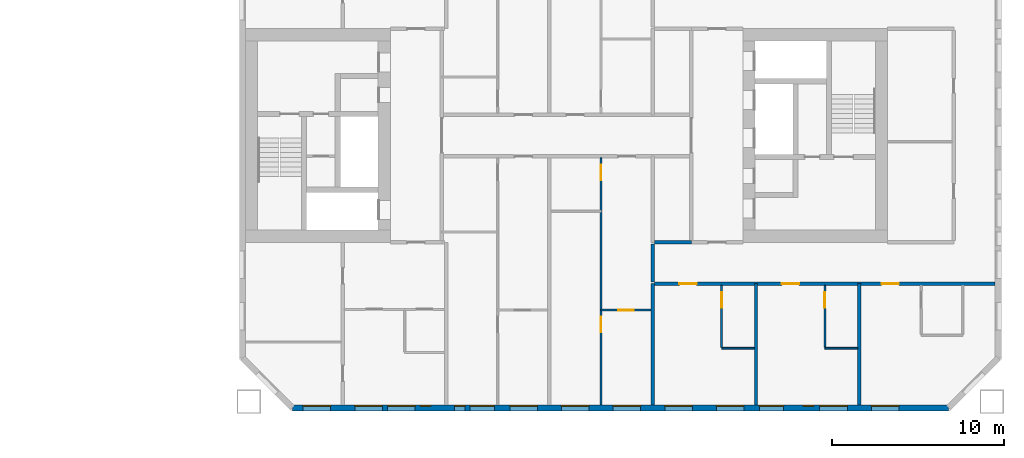
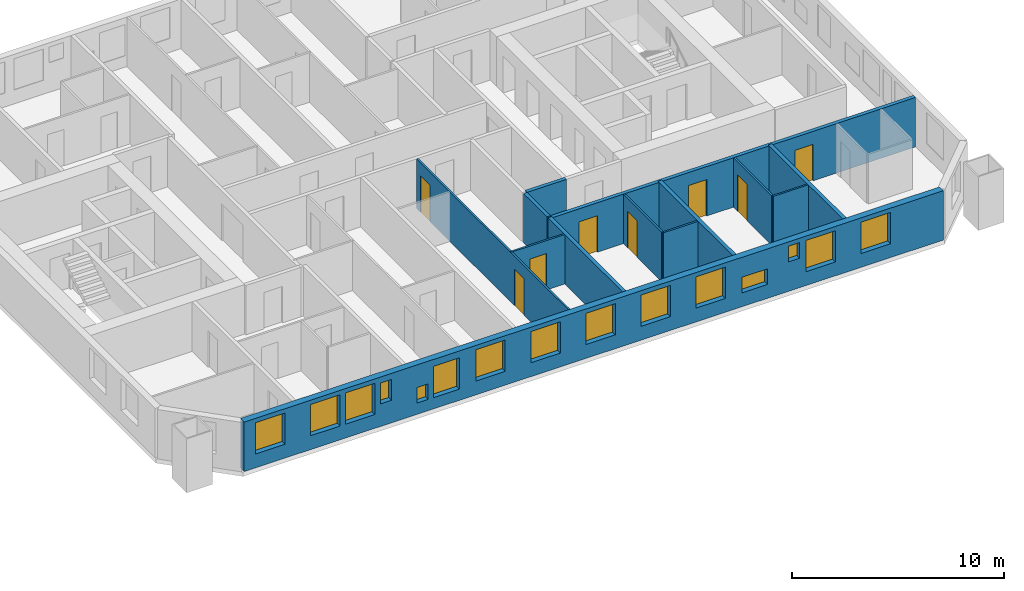
# One storey, part 11 of 17: 15 windows, 13 walls, 8 doors, 23 openings.
"""IFC4 building model written with IfcOpenShell, lengths in metres."""

import ifcopenshell
import ifcopenshell.guid

model = None  # the IFC model being written
_history = None  # IfcOwnerHistory: only IFC2X3 demands one
_inside = {}  # id of a spatial element -> (the spatial element, [elements in it])
_under = {}  # id of a project, library or spatial element -> (it, [spatial elements below it])
_declared = {}  # id of a project -> (the project, [libraries it declares])
_typed = {}  # id of a type object -> (the type object, [elements of that type])
_made_of = {}  # id of a material, layer set ... -> (it, [elements and type objects made of it])


def new_model(schema):
    """Start an empty IFC model of exactly this schema.

    Asked for "IFC4X3", IfcOpenShell would pick the latest addendum, in which some entities
    have other attributes; the version numbers below select the first issue.
    IFC2X3 requires an IfcOwnerHistory on every rooted entity: one is made here for all.
    """
    global model, _history
    if schema == "IFC4X3":
        model = ifcopenshell.file(schema_version=(4, 3, 0, 0))
    else:
        model = ifcopenshell.file(schema=schema)
    _inside.clear()
    _under.clear()
    _declared.clear()
    _typed.clear()
    _made_of.clear()
    _history = None
    if model.schema == "IFC2X3":
        org = make("IfcOrganization", Name="unknown")
        user = make(
            "IfcPersonAndOrganization",
            ThePerson=make("IfcPerson", FamilyName="unknown"),
            TheOrganization=org,
        )
        app = make(
            "IfcApplication",
            ApplicationDeveloper=org,
            Version="unknown",
            ApplicationFullName="unknown",
            ApplicationIdentifier="unknown",
        )
        _history = make(
            "IfcOwnerHistory",
            OwningUser=user,
            OwningApplication=app,
            ChangeAction="ADDED",
            CreationDate=0,
        )
    return model


def make(cls, **values):
    """One entity of the class cls with the attributes given. An attribute that is None is left unset."""
    return model.create_entity(
        cls, **{name: value for name, value in values.items() if value is not None}
    )


def rooted(cls, **values):
    """An entity with a GlobalId (a new one), such as an element, a storey or a relation."""
    return make(cls, GlobalId=ifcopenshell.guid.new(), OwnerHistory=_history, **values)


def si_unit(unit_type, name, prefix=None):
    """IfcSIUnit, for example si_unit("LENGTHUNIT", "METRE", prefix="MILLI")."""
    return make("IfcSIUnit", UnitType=unit_type, Prefix=prefix, Name=name)


def assignment(units):
    """IfcUnitAssignment: the units of a project."""
    return None if units is None else make("IfcUnitAssignment", Units=units)


def point(xyz):
    """IfcCartesianPoint."""
    return None if xyz is None else make("IfcCartesianPoint", Coordinates=xyz)


def direction(xyz):
    """IfcDirection."""
    return None if xyz is None else make("IfcDirection", DirectionRatios=xyz)


def frame(location, z_axis=None, x_axis=None):
    """IfcAxis2Placement3D, a coordinate frame: its origin and axes. An axis left out is left unset."""
    return make(
        "IfcAxis2Placement3D",
        Location=point(location),
        Axis=direction(z_axis),
        RefDirection=direction(x_axis),
    )


def frame_2d(location, x_axis=None):
    """IfcAxis2Placement2D, a coordinate frame in the plane: its origin and x axis."""
    return make(
        "IfcAxis2Placement2D", Location=point(location), RefDirection=direction(x_axis)
    )


def origin():
    """The frame at (0, 0, 0) with its axes left unset."""
    return frame((0.0, 0.0, 0.0))


def place(relative_to, where):
    """IfcLocalPlacement: puts the frame where relative to a parent placement (None: the world)."""
    return make(
        "IfcLocalPlacement", PlacementRelTo=relative_to, RelativePlacement=where
    )


def context(
    kind, dimensions, precision=None, world=None, true_north=None, identifier=None
):
    """IfcGeometricRepresentationContext, for example the 3D "Model" context."""
    return make(
        "IfcGeometricRepresentationContext",
        ContextIdentifier=identifier,
        ContextType=kind,
        CoordinateSpaceDimension=dimensions,
        Precision=precision,
        WorldCoordinateSystem=world,
        TrueNorth=true_north,
    )


def subcontext(parent, identifier, kind, view, scale=None):
    """IfcGeometricRepresentationSubContext, for example "Body" below "Model"."""
    return make(
        "IfcGeometricRepresentationSubContext",
        ContextIdentifier=identifier,
        ContextType=kind,
        ParentContext=parent,
        TargetScale=scale,
        TargetView=view,
    )


def project(units=None, contexts=None):
    """IfcProject with its units and contexts."""
    return rooted(
        "IfcProject",
        Name="project",
        RepresentationContexts=contexts,
        UnitsInContext=assignment(units),
    )


def spatial(cls, under=None, at=None, **own):
    """A site, building, storey or space (cls), placed at a placement, below another one or the project."""
    s = rooted(cls, ObjectPlacement=at, **own)
    if under is not None:
        _under.setdefault(under.id(), (under, []))[1].append(s)
    return s


def profile(cls, at=None, kind="AREA", **sizes):
    """A parametric profile (cls). Its sizes go by their IFC names, for example OverallWidth=200.0."""
    return make(cls, ProfileType=kind, Position=at, **sizes)


def rectangle(**sizes):
    """IfcRectangleProfileDef."""
    return profile("IfcRectangleProfileDef", **sizes)


def extrude(swept, where, along, depth):
    """IfcExtrudedAreaSolid: the profile swept, set in the frame where, extruded along a direction by depth."""
    return make(
        "IfcExtrudedAreaSolid",
        SweptArea=swept,
        Position=where,
        ExtrudedDirection=direction(along),
        Depth=depth,
    )


def shape(context_of_items, identifier, shape_type, items):
    """IfcShapeRepresentation: the items that make up one representation, for example the "Body"."""
    return make(
        "IfcShapeRepresentation",
        ContextOfItems=context_of_items,
        RepresentationIdentifier=identifier,
        RepresentationType=shape_type,
        Items=items,
    )


def material(Name=None, Category=None):
    """IfcMaterial."""
    return make("IfcMaterial", Name=Name, Category=Category)


def layer(
    of_material, thickness, ventilated=None, Name=None, Category=None, Priority=None
):
    """IfcMaterialLayer: one layer of a wall or slab, of a material (None: an air gap)."""
    return make(
        "IfcMaterialLayer",
        Material=of_material,
        LayerThickness=thickness,
        IsVentilated=ventilated,
        Name=Name,
        Category=Category,
        Priority=Priority,
    )


def layer_set(layers, Name=None):
    """IfcMaterialLayerSet."""
    return make("IfcMaterialLayerSet", MaterialLayers=layers, LayerSetName=Name)


def made_of(thing, what):
    """Note that an element or type object is made of a material, layer set ...; save() writes the relation."""
    if what is not None:
        _made_of.setdefault(what.id(), (what, []))[1].append(thing)
    return thing


def type_object(cls, material=None, **own):
    """A type object (cls), such as IfcWallType, which elements share."""
    return made_of(rooted(cls, **own), material)


def element(
    cls,
    number,
    at=None,
    inside=None,
    cuts=None,
    type_object=None,
    material=None,
    context=None,
    identifier="Body",
    shape_type=None,
    held_by="IfcProductDefinitionShape",
    body=None,
    shapes=None,
    **own,
):
    """One element of the class cls, such as IfcWall. Its Tag is "e" and its number.

    at: its placement. inside: the storey or other place that contains it. cuts: it is an
    opening in that element (IfcRelVoidsElement). A single representation is given by context,
    identifier, shape_type and body (its items); several are given by shapes. held_by: the class
    of the entity that holds the representations. save() writes the other relations.
    """
    e = rooted(cls, Tag="e%d" % number, ObjectPlacement=at, **own)
    if body is not None:
        shapes = [shape(context, identifier, shape_type, body)]
    if shapes is not None:
        e.Representation = make(held_by, Representations=shapes)
    if inside is not None:
        _inside.setdefault(inside.id(), (inside, []))[1].append(e)
    if cuts is not None:
        rooted(
            "IfcRelVoidsElement", RelatingBuildingElement=cuts, RelatedOpeningElement=e
        )
    if type_object is not None:
        _typed.setdefault(type_object.id(), (type_object, []))[1].append(e)
    return made_of(e, material)


def fill(opening, filler):
    """IfcRelFillsElement: the door or window that sits in an opening."""
    return rooted(
        "IfcRelFillsElement",
        RelatingOpeningElement=opening,
        RelatedBuildingElement=filler,
    )


def aggregate(whole, parts):
    """IfcRelAggregates: a whole, such as a stair, and the parts it consists of."""
    return rooted("IfcRelAggregates", RelatingObject=whole, RelatedObjects=parts)


def save(model, path):
    """Write the relations noted so far, then the file.

    IfcRelAggregates (storeys below a building ...), IfcRelContainedInSpatialStructure (elements
    in a storey), IfcRelDefinesByType, IfcRelAssociatesMaterial and IfcRelDeclares: one each for
    every whole, place, type object, material and project.
    """
    for whole, parts in _under.values():
        aggregate(whole, parts)
    for where, things in _inside.values():
        rooted(
            "IfcRelContainedInSpatialStructure",
            RelatedElements=things,
            RelatingStructure=where,
        )
    for kind, things in _typed.values():
        rooted("IfcRelDefinesByType", RelatedObjects=things, RelatingType=kind)
    for what, things in _made_of.values():
        rooted("IfcRelAssociatesMaterial", RelatedObjects=things, RelatingMaterial=what)
    for by, libraries in _declared.values():
        rooted("IfcRelDeclares", RelatingContext=by, RelatedDefinitions=libraries)
    model.write(path)


model = new_model("IFC4")

# Units and contexts
model_context = context("Model", 3, precision=1e-05, world=origin(), true_north=direction((0.0, 1.0)))
body_context = subcontext(model_context, "Body", "Model", "MODEL_VIEW")
ifc_project = project(units=[si_unit("LENGTHUNIT", "METRE"), si_unit("AREAUNIT", "SQUARE_METRE"), si_unit("VOLUMEUNIT", "CUBIC_METRE"), si_unit("PLANEANGLEUNIT", "RADIAN"), si_unit("MASSUNIT", "GRAM", prefix="KILO")], contexts=[model_context])

# Site, building, storey
site_placement = place(None, origin())
site = spatial("IfcSite", under=ifc_project, at=site_placement, CompositionType="ELEMENT")
building_placement = place(site_placement, origin())
building = spatial("IfcBuilding", under=site, at=building_placement, Name="Tuart Gate Housing", CompositionType="ELEMENT")
storey_placement = place(building_placement, frame((0.0, 0.0, 77.800048828125)))
storey = spatial("IfcBuildingStorey", under=building, at=storey_placement, Name="L21", CompositionType="ELEMENT", Elevation=77.800048828125)

# Wall, openings, windows
ifc_material_1 = material(Name="Brick", Category="masonry")
ifc_layer_1 = layer(ifc_material_1, 0.360107421875)
ifc_layer_set_1 = layer_set([ifc_layer_1], Name="Brick pier and spandrel wall 360")
wall_type_1 = type_object("IfcWallType", Name="Brick pier and spandrel wall 360", PredefinedType="STANDARD", material=ifc_layer_set_1)
wall_1_placement = place(storey_placement, frame((134.07470703125, 54.179931640625, 0.0), z_axis=(0.0, 0.0, 1.0), x_axis=(1.0, 0.0, 0.0)))
wall_1 = element("IfcWall", 1, at=wall_1_placement, inside=storey, type_object=wall_type_1, Name="External wall B-S L21", PredefinedType="STANDARD", context=body_context, shape_type="SweptSolid", body=[
    extrude(rectangle(XDim=38.100830078125, YDim=0.360107421875, at=frame_2d((19.05029296875, 0.0))), origin(), (0.0, 0.0, 1.0), 2.849853515625),
])
opening_1_placement = place(wall_1_placement, frame((0.62548828125, 0.0, 0.800048828125)))
opening_1 = element("IfcOpeningElement", 2, at=opening_1_placement, cuts=wall_1, Name="Opening W1", PredefinedType="OPENING", context=body_context, shape_type="SweptSolid", body=[
    extrude(rectangle(XDim=1.60009765625, YDim=1.800048828125, at=frame_2d((0.800048828125, 0.89990234375))), frame((0.0, 0.18994140625, 0.0), z_axis=(0.0, -1.0, 0.0), x_axis=(1.0, 0.0, 0.0)), (0.0, 0.0, 1.0), 0.380126953125),
])
opening_2_placement = place(wall_1_placement, frame((3.62548828125, 0.0, 0.800048828125)))
opening_2 = element("IfcOpeningElement", 3, at=opening_2_placement, cuts=wall_1, Name="Opening W1", PredefinedType="OPENING", context=body_context, shape_type="SweptSolid", body=[
    extrude(rectangle(XDim=1.60009765625, YDim=1.800048828125, at=frame_2d((0.800048828125, 0.89990234375))), frame((0.0, 0.18994140625, 0.0), z_axis=(0.0, -1.0, 0.0), x_axis=(1.0, 0.0, 0.0)), (0.0, 0.0, 1.0), 0.380126953125),
])
opening_3_placement = place(wall_1_placement, frame((5.525390625, 0.0, 0.800048828125)))
opening_3 = element("IfcOpeningElement", 4, at=opening_3_placement, cuts=wall_1, Name="Opening W1", PredefinedType="OPENING", context=body_context, shape_type="SweptSolid", body=[
    extrude(rectangle(XDim=1.60009765625, YDim=1.800048828125, at=frame_2d((0.800048828125, 0.89990234375))), frame((0.0, 0.18994140625, 0.0), z_axis=(0.0, -1.0, 0.0), x_axis=(1.0, 0.0, 0.0)), (0.0, 0.0, 1.0), 0.380126953125),
])
opening_4_placement = place(wall_1_placement, frame((9.42529296875, 0.0, 0.64990234375)))
opening_4 = element("IfcOpeningElement", 5, at=opening_4_placement, cuts=wall_1, Name="Opening W1W", PredefinedType="OPENING", context=body_context, shape_type="SweptSolid", body=[
    extrude(rectangle(XDim=0.60009765625, YDim=0.89990234375, at=frame_2d((0.300048828125, 0.449951171875))), frame((0.0, 0.18994140625, 0.0), z_axis=(0.0, -1.0, 0.0), x_axis=(1.0, 0.0, 0.0)), (0.0, 0.0, 1.0), 0.380126953125),
])
opening_5_placement = place(wall_1_placement, frame((12.62548828125, 0.0, 0.800048828125)))
opening_5 = element("IfcOpeningElement", 6, at=opening_5_placement, cuts=wall_1, Name="Opening W1", PredefinedType="OPENING", context=body_context, shape_type="SweptSolid", body=[
    extrude(rectangle(XDim=1.60009765625, YDim=1.800048828125, at=frame_2d((0.800048828125, 0.89990234375))), frame((0.0, 0.18994140625, 0.0), z_axis=(0.0, -1.0, 0.0), x_axis=(1.0, 0.0, 0.0)), (0.0, 0.0, 1.0), 0.380126953125),
])
opening_6_placement = place(wall_1_placement, frame((15.62548828125, 0.0, 0.800048828125)))
opening_6 = element("IfcOpeningElement", 7, at=opening_6_placement, cuts=wall_1, Name="Opening W1", PredefinedType="OPENING", context=body_context, shape_type="SweptSolid", body=[
    extrude(rectangle(XDim=1.60009765625, YDim=1.800048828125, at=frame_2d((0.800048828125, 0.89990234375))), frame((0.0, 0.18994140625, 0.0), z_axis=(0.0, -1.0, 0.0), x_axis=(1.0, 0.0, 0.0)), (0.0, 0.0, 1.0), 0.380126953125),
])
opening_7_placement = place(wall_1_placement, frame((18.62548828125, 0.0, 0.800048828125)))
opening_7 = element("IfcOpeningElement", 8, at=opening_7_placement, cuts=wall_1, Name="Opening W1", PredefinedType="OPENING", context=body_context, shape_type="SweptSolid", body=[
    extrude(rectangle(XDim=1.60009765625, YDim=1.800048828125, at=frame_2d((0.800048828125, 0.89990234375))), frame((0.0, 0.18994140625, 0.0), z_axis=(0.0, -1.0, 0.0), x_axis=(1.0, 0.0, 0.0)), (0.0, 0.0, 1.0), 0.380126953125),
])
opening_8_placement = place(wall_1_placement, frame((21.62548828125, 0.0, 0.800048828125)))
opening_8 = element("IfcOpeningElement", 9, at=opening_8_placement, cuts=wall_1, Name="Opening W1", PredefinedType="OPENING", context=body_context, shape_type="SweptSolid", body=[
    extrude(rectangle(XDim=1.60009765625, YDim=1.800048828125, at=frame_2d((0.800048828125, 0.89990234375))), frame((0.0, 0.18994140625, 0.0), z_axis=(0.0, -1.0, 0.0), x_axis=(1.0, 0.0, 0.0)), (0.0, 0.0, 1.0), 0.380126953125),
])
opening_9_placement = place(wall_1_placement, frame((24.62548828125, 0.0, 0.800048828125)))
opening_9 = element("IfcOpeningElement", 10, at=opening_9_placement, cuts=wall_1, Name="Opening W1", PredefinedType="OPENING", context=body_context, shape_type="SweptSolid", body=[
    extrude(rectangle(XDim=1.60009765625, YDim=1.800048828125, at=frame_2d((0.800048828125, 0.89990234375))), frame((0.0, 0.18994140625, 0.0), z_axis=(0.0, -1.0, 0.0), x_axis=(1.0, 0.0, 0.0)), (0.0, 0.0, 1.0), 0.380126953125),
])
opening_10_placement = place(wall_1_placement, frame((27.12548828125, 0.0, 0.800048828125)))
opening_10 = element("IfcOpeningElement", 11, at=opening_10_placement, cuts=wall_1, Name="Opening W1S", PredefinedType="OPENING", context=body_context, shape_type="SweptSolid", body=[
    extrude(rectangle(XDim=1.39990234375, YDim=0.89990234375, at=frame_2d((0.699951171875, 0.449951171875))), frame((0.0, 0.18994140625, 0.0), z_axis=(0.0, -1.0, 0.0), x_axis=(1.0, 0.0, 0.0)), (0.0, 0.0, 1.0), 0.380126953125),
])
opening_11_placement = place(wall_1_placement, frame((30.62548828125, 0.0, 0.800048828125)))
opening_11 = element("IfcOpeningElement", 12, at=opening_11_placement, cuts=wall_1, Name="Opening W1", PredefinedType="OPENING", context=body_context, shape_type="SweptSolid", body=[
    extrude(rectangle(XDim=1.60009765625, YDim=1.800048828125, at=frame_2d((0.800048828125, 0.89990234375))), frame((0.0, 0.18994140625, 0.0), z_axis=(0.0, -1.0, 0.0), x_axis=(1.0, 0.0, 0.0)), (0.0, 0.0, 1.0), 0.380126953125),
])
opening_12_placement = place(wall_1_placement, frame((33.62548828125, 0.0, 0.800048828125)))
opening_12 = element("IfcOpeningElement", 13, at=opening_12_placement, cuts=wall_1, Name="Opening W1", PredefinedType="OPENING", context=body_context, shape_type="SweptSolid", body=[
    extrude(rectangle(XDim=1.60009765625, YDim=1.800048828125, at=frame_2d((0.800048828125, 0.89990234375))), frame((0.0, 0.18994140625, 0.0), z_axis=(0.0, -1.0, 0.0), x_axis=(1.0, 0.0, 0.0)), (0.0, 0.0, 1.0), 0.380126953125),
])
opening_13_placement = place(wall_1_placement, frame((7.42529296875, 0.0, 1.300048828125)))
opening_13 = element("IfcOpeningElement", 14, at=opening_13_placement, cuts=wall_1, Name="Opening W1Q", PredefinedType="OPENING", context=body_context, shape_type="SweptSolid", body=[
    extrude(rectangle(XDim=0.60009765625, YDim=1.199951171875, at=frame_2d((0.300048828125, 0.60009765625))), frame((0.0, 0.18994140625, 0.0), z_axis=(0.0, -1.0, 0.0), x_axis=(1.0, 0.0, 0.0)), (0.0, 0.0, 1.0), 0.380126953125),
])
opening_14_placement = place(wall_1_placement, frame((10.325439453125, 0.0, 0.64990234375)))
opening_14 = element("IfcOpeningElement", 15, at=opening_14_placement, cuts=wall_1, Name="Opening W1A", PredefinedType="OPENING", context=body_context, shape_type="SweptSolid", body=[
    extrude(rectangle(XDim=1.39990234375, YDim=1.800048828125, at=frame_2d((0.699951171875, 0.89990234375))), frame((0.0, 0.18994140625, 0.0), z_axis=(0.0, -1.0, 0.0), x_axis=(1.0, 0.0, 0.0)), (0.0, 0.0, 1.0), 0.380126953125),
])
opening_15_placement = place(wall_1_placement, frame((29.67529296875, 0.0, 1.699951171875)))
opening_15 = element("IfcOpeningElement", 16, at=opening_15_placement, cuts=wall_1, Name="Opening W1W", PredefinedType="OPENING", context=body_context, shape_type="SweptSolid", body=[
    extrude(rectangle(XDim=0.60009765625, YDim=0.89990234375, at=frame_2d((0.300048828125, 0.449951171875))), frame((0.0, 0.18994140625, 0.0), z_axis=(0.0, -1.0, 0.0), x_axis=(1.0, 0.0, 0.0)), (0.0, 0.0, 1.0), 0.380126953125),
])
ifc_material_2 = material(Name="Aluminium frame with clear glass", Category="aluminium")
window_type_1 = type_object("IfcWindowType", Name="Punched window 1400 x 1800", PartitioningType="SINGLE_PANEL", PredefinedType="WINDOW", material=ifc_material_2)
window_1_placement = place(opening_14_placement, origin())
window_1 = element("IfcWindow", 17, at=window_1_placement, inside=storey, type_object=window_type_1, Name="Window W1A", OverallHeight=1.800048828125, OverallWidth=1.39990234375, PartitioningType="SINGLE_PANEL", PredefinedType="WINDOW", context=body_context, shape_type="SweptSolid", body=[
    extrude(rectangle(XDim=1.39990234375, YDim=1.800048828125, at=frame_2d((0.699951171875, 0.89990234375))), frame((0.0, 0.150146484375, 0.0), z_axis=(0.0, -1.0, 0.0), x_axis=(1.0, 0.0, 0.0)), (0.0, 0.0, 1.0), 0.06005859375),
])
fill(opening_14, window_1)
ifc_material_3 = material(Name="Aluminium frame with clear glass", Category="aluminium")
window_type_2 = type_object("IfcWindowType", Name="Punched window 1400 x 900", PartitioningType="SINGLE_PANEL", PredefinedType="WINDOW", material=ifc_material_3)
window_2_placement = place(opening_10_placement, origin())
window_2 = element("IfcWindow", 18, at=window_2_placement, inside=storey, type_object=window_type_2, Name="Window W1S", OverallHeight=0.89990234375, OverallWidth=1.39990234375, PartitioningType="SINGLE_PANEL", PredefinedType="WINDOW", context=body_context, shape_type="SweptSolid", body=[
    extrude(rectangle(XDim=1.39990234375, YDim=0.89990234375, at=frame_2d((0.699951171875, 0.449951171875))), frame((0.0, 0.150146484375, 0.0), z_axis=(0.0, -1.0, 0.0), x_axis=(1.0, 0.0, 0.0)), (0.0, 0.0, 1.0), 0.06005859375),
])
fill(opening_10, window_2)
ifc_material_4 = material(Name="Aluminium frame with clear glass", Category="aluminium")
window_type_3 = type_object("IfcWindowType", Name="Punched window 1600 x 1800", PartitioningType="SINGLE_PANEL", PredefinedType="WINDOW", material=ifc_material_4)
window_3_placement = place(opening_1_placement, origin())
window_3 = element("IfcWindow", 19, at=window_3_placement, inside=storey, type_object=window_type_3, Name="Window W1", OverallHeight=1.800048828125, OverallWidth=1.60009765625, PartitioningType="SINGLE_PANEL", PredefinedType="WINDOW", context=body_context, shape_type="SweptSolid", body=[
    extrude(rectangle(XDim=1.60009765625, YDim=1.800048828125, at=frame_2d((0.800048828125, 0.89990234375))), frame((0.0, 0.150146484375, 0.0), z_axis=(0.0, -1.0, 0.0), x_axis=(1.0, 0.0, 0.0)), (0.0, 0.0, 1.0), 0.06005859375),
])
fill(opening_1, window_3)
window_4_placement = place(opening_2_placement, origin())
window_4 = element("IfcWindow", 20, at=window_4_placement, inside=storey, type_object=window_type_3, Name="Window W1", OverallHeight=1.800048828125, OverallWidth=1.60009765625, PartitioningType="SINGLE_PANEL", PredefinedType="WINDOW", context=body_context, shape_type="SweptSolid", body=[
    extrude(rectangle(XDim=1.60009765625, YDim=1.800048828125, at=frame_2d((0.800048828125, 0.89990234375))), frame((0.0, 0.150146484375, 0.0), z_axis=(0.0, -1.0, 0.0), x_axis=(1.0, 0.0, 0.0)), (0.0, 0.0, 1.0), 0.06005859375),
])
fill(opening_2, window_4)
window_5_placement = place(opening_3_placement, origin())
window_5 = element("IfcWindow", 21, at=window_5_placement, inside=storey, type_object=window_type_3, Name="Window W1", OverallHeight=1.800048828125, OverallWidth=1.60009765625, PartitioningType="SINGLE_PANEL", PredefinedType="WINDOW", context=body_context, shape_type="SweptSolid", body=[
    extrude(rectangle(XDim=1.60009765625, YDim=1.800048828125, at=frame_2d((0.800048828125, 0.89990234375))), frame((0.0, 0.150146484375, 0.0), z_axis=(0.0, -1.0, 0.0), x_axis=(1.0, 0.0, 0.0)), (0.0, 0.0, 1.0), 0.06005859375),
])
fill(opening_3, window_5)
window_6_placement = place(opening_5_placement, origin())
window_6 = element("IfcWindow", 22, at=window_6_placement, inside=storey, type_object=window_type_3, Name="Window W1", OverallHeight=1.800048828125, OverallWidth=1.60009765625, PartitioningType="SINGLE_PANEL", PredefinedType="WINDOW", context=body_context, shape_type="SweptSolid", body=[
    extrude(rectangle(XDim=1.60009765625, YDim=1.800048828125, at=frame_2d((0.800048828125, 0.89990234375))), frame((0.0, 0.150146484375, 0.0), z_axis=(0.0, -1.0, 0.0), x_axis=(1.0, 0.0, 0.0)), (0.0, 0.0, 1.0), 0.06005859375),
])
fill(opening_5, window_6)
window_7_placement = place(opening_6_placement, origin())
window_7 = element("IfcWindow", 23, at=window_7_placement, inside=storey, type_object=window_type_3, Name="Window W1", OverallHeight=1.800048828125, OverallWidth=1.60009765625, PartitioningType="SINGLE_PANEL", PredefinedType="WINDOW", context=body_context, shape_type="SweptSolid", body=[
    extrude(rectangle(XDim=1.60009765625, YDim=1.800048828125, at=frame_2d((0.800048828125, 0.89990234375))), frame((0.0, 0.150146484375, 0.0), z_axis=(0.0, -1.0, 0.0), x_axis=(1.0, 0.0, 0.0)), (0.0, 0.0, 1.0), 0.06005859375),
])
fill(opening_6, window_7)
window_8_placement = place(opening_7_placement, origin())
window_8 = element("IfcWindow", 24, at=window_8_placement, inside=storey, type_object=window_type_3, Name="Window W1", OverallHeight=1.800048828125, OverallWidth=1.60009765625, PartitioningType="SINGLE_PANEL", PredefinedType="WINDOW", context=body_context, shape_type="SweptSolid", body=[
    extrude(rectangle(XDim=1.60009765625, YDim=1.800048828125, at=frame_2d((0.800048828125, 0.89990234375))), frame((0.0, 0.150146484375, 0.0), z_axis=(0.0, -1.0, 0.0), x_axis=(1.0, 0.0, 0.0)), (0.0, 0.0, 1.0), 0.06005859375),
])
fill(opening_7, window_8)
window_9_placement = place(opening_8_placement, origin())
window_9 = element("IfcWindow", 25, at=window_9_placement, inside=storey, type_object=window_type_3, Name="Window W1", OverallHeight=1.800048828125, OverallWidth=1.60009765625, PartitioningType="SINGLE_PANEL", PredefinedType="WINDOW", context=body_context, shape_type="SweptSolid", body=[
    extrude(rectangle(XDim=1.60009765625, YDim=1.800048828125, at=frame_2d((0.800048828125, 0.89990234375))), frame((0.0, 0.150146484375, 0.0), z_axis=(0.0, -1.0, 0.0), x_axis=(1.0, 0.0, 0.0)), (0.0, 0.0, 1.0), 0.06005859375),
])
fill(opening_8, window_9)
window_10_placement = place(opening_9_placement, origin())
window_10 = element("IfcWindow", 26, at=window_10_placement, inside=storey, type_object=window_type_3, Name="Window W1", OverallHeight=1.800048828125, OverallWidth=1.60009765625, PartitioningType="SINGLE_PANEL", PredefinedType="WINDOW", context=body_context, shape_type="SweptSolid", body=[
    extrude(rectangle(XDim=1.60009765625, YDim=1.800048828125, at=frame_2d((0.800048828125, 0.89990234375))), frame((0.0, 0.150146484375, 0.0), z_axis=(0.0, -1.0, 0.0), x_axis=(1.0, 0.0, 0.0)), (0.0, 0.0, 1.0), 0.06005859375),
])
fill(opening_9, window_10)
window_11_placement = place(opening_11_placement, origin())
window_11 = element("IfcWindow", 27, at=window_11_placement, inside=storey, type_object=window_type_3, Name="Window W1", OverallHeight=1.800048828125, OverallWidth=1.60009765625, PartitioningType="SINGLE_PANEL", PredefinedType="WINDOW", context=body_context, shape_type="SweptSolid", body=[
    extrude(rectangle(XDim=1.60009765625, YDim=1.800048828125, at=frame_2d((0.800048828125, 0.89990234375))), frame((0.0, 0.150146484375, 0.0), z_axis=(0.0, -1.0, 0.0), x_axis=(1.0, 0.0, 0.0)), (0.0, 0.0, 1.0), 0.06005859375),
])
fill(opening_11, window_11)
window_12_placement = place(opening_12_placement, origin())
window_12 = element("IfcWindow", 28, at=window_12_placement, inside=storey, type_object=window_type_3, Name="Window W1", OverallHeight=1.800048828125, OverallWidth=1.60009765625, PartitioningType="SINGLE_PANEL", PredefinedType="WINDOW", context=body_context, shape_type="SweptSolid", body=[
    extrude(rectangle(XDim=1.60009765625, YDim=1.800048828125, at=frame_2d((0.800048828125, 0.89990234375))), frame((0.0, 0.150146484375, 0.0), z_axis=(0.0, -1.0, 0.0), x_axis=(1.0, 0.0, 0.0)), (0.0, 0.0, 1.0), 0.06005859375),
])
fill(opening_12, window_12)
ifc_material_5 = material(Name="Aluminium frame with clear glass", Category="aluminium")
window_type_4 = type_object("IfcWindowType", Name="Punched window 600 x 1200", PartitioningType="SINGLE_PANEL", PredefinedType="WINDOW", material=ifc_material_5)
window_13_placement = place(opening_13_placement, origin())
window_13 = element("IfcWindow", 29, at=window_13_placement, inside=storey, type_object=window_type_4, Name="Window W1Q", OverallHeight=1.199951171875, OverallWidth=0.60009765625, PartitioningType="SINGLE_PANEL", PredefinedType="WINDOW", context=body_context, shape_type="SweptSolid", body=[
    extrude(rectangle(XDim=0.60009765625, YDim=1.199951171875, at=frame_2d((0.300048828125, 0.60009765625))), frame((0.0, 0.150146484375, 0.0), z_axis=(0.0, -1.0, 0.0), x_axis=(1.0, 0.0, 0.0)), (0.0, 0.0, 1.0), 0.06005859375),
])
fill(opening_13, window_13)
ifc_material_6 = material(Name="Aluminium frame with clear glass", Category="aluminium")
window_type_5 = type_object("IfcWindowType", Name="Punched window 600 x 900", PartitioningType="SINGLE_PANEL", PredefinedType="WINDOW", material=ifc_material_6)
window_14_placement = place(opening_4_placement, origin())
window_14 = element("IfcWindow", 30, at=window_14_placement, inside=storey, type_object=window_type_5, Name="Window W1W", OverallHeight=0.89990234375, OverallWidth=0.60009765625, PartitioningType="SINGLE_PANEL", PredefinedType="WINDOW", context=body_context, shape_type="SweptSolid", body=[
    extrude(rectangle(XDim=0.60009765625, YDim=0.89990234375, at=frame_2d((0.300048828125, 0.449951171875))), frame((0.0, 0.150146484375, 0.0), z_axis=(0.0, -1.0, 0.0), x_axis=(1.0, 0.0, 0.0)), (0.0, 0.0, 1.0), 0.06005859375),
])
fill(opening_4, window_14)
window_15_placement = place(opening_15_placement, origin())
window_15 = element("IfcWindow", 31, at=window_15_placement, inside=storey, type_object=window_type_5, Name="Window W1W", OverallHeight=0.89990234375, OverallWidth=0.60009765625, PartitioningType="SINGLE_PANEL", PredefinedType="WINDOW", context=body_context, shape_type="SweptSolid", body=[
    extrude(rectangle(XDim=0.60009765625, YDim=0.89990234375, at=frame_2d((0.300048828125, 0.449951171875))), frame((0.0, 0.150146484375, 0.0), z_axis=(0.0, -1.0, 0.0), x_axis=(1.0, 0.0, 0.0)), (0.0, 0.0, 1.0), 0.06005859375),
])
fill(opening_15, window_15)

# Wall, openings, doors
ifc_material_7 = material(Name="Concrete masonry 15 MPa", Category="masonry")
ifc_layer_2 = layer(ifc_material_7, 0.199951171875)
ifc_layer_set_2 = layer_set([ifc_layer_2], Name="Corridor wall masonry 200")
wall_type_2 = type_object("IfcWallType", Name="Corridor wall masonry 200", PredefinedType="PARTITIONING", material=ifc_layer_set_2)
wall_2_placement = place(storey_placement, frame((155.10009765625, 61.39990234375, 0.0), z_axis=(0.0, 0.0, 1.0), x_axis=(1.0, 0.0, 0.0)))
wall_2 = element("IfcWall", 32, at=wall_2_placement, inside=storey, type_object=wall_type_2, Name="Corridor wall masonry 200", PredefinedType="PARTITIONING", context=body_context, shape_type="SweptSolid", body=[
    extrude(rectangle(XDim=19.789794921875, YDim=0.199951171875, at=frame_2d((9.89501953125, 0.0))), origin(), (0.0, 0.0, 1.0), 2.849853515625),
])
opening_16_placement = place(wall_2_placement, frame((1.449951171875, 0.0, 0.0)))
opening_16 = element("IfcOpeningElement", 33, at=opening_16_placement, cuts=wall_2, Name="Opening D938", PredefinedType="OPENING", context=body_context, shape_type="SweptSolid", body=[
    extrude(rectangle(XDim=1.0, YDim=2.10009765625, at=frame_2d((0.5, 1.050048828125))), frame((0.0, 0.10986328125, 0.0), z_axis=(0.0, -1.0, 0.0), x_axis=(1.0, 0.0, 0.0)), (0.0, 0.0, 1.0), 0.219970703125),
])
opening_17_placement = place(wall_2_placement, frame((7.39990234375, 0.0, 0.0)))
opening_17 = element("IfcOpeningElement", 34, at=opening_17_placement, cuts=wall_2, Name="Opening D939", PredefinedType="OPENING", context=body_context, shape_type="SweptSolid", body=[
    extrude(rectangle(XDim=1.0, YDim=2.10009765625, at=frame_2d((0.5, 1.050048828125))), frame((0.0, 0.10986328125, 0.0), z_axis=(0.0, -1.0, 0.0), x_axis=(1.0, 0.0, 0.0)), (0.0, 0.0, 1.0), 0.219970703125),
])
opening_18_placement = place(wall_2_placement, frame((13.199951171875, 0.0, 0.0)))
opening_18 = element("IfcOpeningElement", 35, at=opening_18_placement, cuts=wall_2, Name="Opening D940", PredefinedType="OPENING", context=body_context, shape_type="SweptSolid", body=[
    extrude(rectangle(XDim=1.0, YDim=2.10009765625, at=frame_2d((0.5, 1.050048828125))), frame((0.0, 0.10986328125, 0.0), z_axis=(0.0, -1.0, 0.0), x_axis=(1.0, 0.0, 0.0)), (0.0, 0.0, 1.0), 0.219970703125),
])
ifc_material_8 = material(Name="Timber door leaf in steel frame", Category="steel")
door_type_1 = type_object("IfcDoorType", Name="Flat entrance door 1000", OperationType="SINGLE_SWING_LEFT", PredefinedType="DOOR", material=ifc_material_8)
door_1_placement = place(opening_16_placement, frame((1.0, 0.0, 0.0), z_axis=(0.0, 0.0, 1.0), x_axis=(-1.0, 0.0, 0.0)))
door_1 = element("IfcDoor", 36, at=door_1_placement, inside=storey, type_object=door_type_1, Name="Flat entrance door", OperationType="SINGLE_SWING_LEFT", OverallHeight=2.10009765625, OverallWidth=1.0, PredefinedType="DOOR", context=body_context, shape_type="SweptSolid", body=[
    extrude(rectangle(XDim=1.0, YDim=2.10009765625, at=frame_2d((0.5, 1.050048828125))), frame((0.0, 0.025146484375, 0.0), z_axis=(0.0, -1.0, 0.0), x_axis=(1.0, 0.0, 0.0)), (0.0, 0.0, 1.0), 0.050048828125),
])
fill(opening_16, door_1)
ifc_material_9 = material(Name="Timber door leaf in steel frame", Category="steel")
door_type_2 = type_object("IfcDoorType", Name="Flat entrance door 1000 RH", OperationType="SINGLE_SWING_RIGHT", PredefinedType="DOOR", material=ifc_material_9)
door_2_placement = place(opening_17_placement, frame((1.0, 0.0, 0.0), z_axis=(0.0, 0.0, 1.0), x_axis=(-1.0, 0.0, 0.0)))
door_2 = element("IfcDoor", 37, at=door_2_placement, inside=storey, type_object=door_type_2, Name="Flat entrance door", OperationType="SINGLE_SWING_RIGHT", OverallHeight=2.10009765625, OverallWidth=1.0, PredefinedType="DOOR", context=body_context, shape_type="SweptSolid", body=[
    extrude(rectangle(XDim=1.0, YDim=2.10009765625, at=frame_2d((0.5, 1.050048828125))), frame((0.0, 0.025146484375, 0.0), z_axis=(0.0, -1.0, 0.0), x_axis=(1.0, 0.0, 0.0)), (0.0, 0.0, 1.0), 0.050048828125),
])
fill(opening_17, door_2)
door_3_placement = place(opening_18_placement, frame((1.0, 0.0, 0.0), z_axis=(0.0, 0.0, 1.0), x_axis=(-1.0, 0.0, 0.0)))
door_3 = element("IfcDoor", 38, at=door_3_placement, inside=storey, type_object=door_type_2, Name="Flat entrance door", OperationType="SINGLE_SWING_RIGHT", OverallHeight=2.10009765625, OverallWidth=1.0, PredefinedType="DOOR", context=body_context, shape_type="SweptSolid", body=[
    extrude(rectangle(XDim=1.0, YDim=2.10009765625, at=frame_2d((0.5, 1.050048828125))), frame((0.0, 0.025146484375, 0.0), z_axis=(0.0, -1.0, 0.0), x_axis=(1.0, 0.0, 0.0)), (0.0, 0.0, 1.0), 0.050048828125),
])
fill(opening_18, door_3)

# Walls
wall_3_placement = place(storey_placement, frame((155.10009765625, 63.800048828125, 0.0), z_axis=(0.0, 0.0, 1.0), x_axis=(1.0, 0.0, 0.0)))
element("IfcWall", 39, at=wall_3_placement, inside=storey, type_object=wall_type_2, Name="Corridor wall masonry 200", PredefinedType="PARTITIONING", context=body_context, shape_type="SweptSolid", body=[
    extrude(rectangle(XDim=2.139892578125, YDim=0.199951171875, at=frame_2d((1.06982421875, 0.0))), origin(), (0.0, 0.0, 1.0), 2.849853515625),
])
wall_4_placement = place(storey_placement, frame((155.0, 61.5, 0.0), z_axis=(0.0, 0.0, 1.0), x_axis=(0.0, 1.0, 0.0)))
element("IfcWall", 40, at=wall_4_placement, inside=storey, type_object=wall_type_2, Name="Corridor wall masonry 200", PredefinedType="PARTITIONING", context=body_context, shape_type="SweptSolid", body=[
    extrude(rectangle(XDim=2.199951171875, YDim=0.199951171875, at=frame_2d((1.10009765625, 0.0))), origin(), (0.0, 0.0, 1.0), 2.849853515625),
])
ifc_material_10 = material(Name="Gypsum board on steel studs", Category="steel")
ifc_layer_3 = layer(ifc_material_10, 0.10009765625)
ifc_layer_set_3 = layer_set([ifc_layer_3], Name="Partition 100")
wall_type_3 = type_object("IfcWallType", Name="Partition 100", PredefinedType="PARTITIONING", material=ifc_layer_set_3)
for number, where, z_axis, x_axis, name in (
    (41, (159.0, 57.64990234375, 0.0), (0.0, 0.0, 1.0), (1.0, 0.0, 0.0), "Partition 100"),
    (42, (165.0, 57.64990234375, 0.0), (0.0, 0.0, 1.0), (1.0, 0.0, 0.0), "Partition 100"),
):
    element("IfcWall", number, at=place(storey_placement, frame(where, z_axis=z_axis, x_axis=x_axis)), inside=storey, type_object=wall_type_3, Name=name, PredefinedType="PARTITIONING", context=body_context, shape_type="SweptSolid", body=[
        extrude(rectangle(XDim=1.89990234375, YDim=0.10009765625, at=frame_2d((0.949951171875, 0.0))), origin(), (0.0, 0.0, 1.0), 2.849853515625),
    ])

# Wall, opening, door
wall_5_placement = place(storey_placement, frame((152.0, 59.860107421875, 0.0), z_axis=(0.0, 0.0, 1.0), x_axis=(1.0, 0.0, 0.0)))
wall_5 = element("IfcWall", 43, at=wall_5_placement, inside=storey, type_object=wall_type_3, Name="Partition 100", PredefinedType="PARTITIONING", context=body_context, shape_type="SweptSolid", body=[
    extrude(rectangle(XDim=2.89990234375, YDim=0.10009765625, at=frame_2d((1.449951171875, 0.0))), origin(), (0.0, 0.0, 1.0), 2.849853515625),
])
opening_19_placement = place(wall_5_placement, frame((1.0, 0.0, 0.0)))
opening_19 = element("IfcOpeningElement", 44, at=opening_19_placement, cuts=wall_5, Name="Opening D945", PredefinedType="OPENING", context=body_context, shape_type="SweptSolid", body=[
    extrude(rectangle(XDim=0.89990234375, YDim=2.10009765625, at=frame_2d((0.449951171875, 1.050048828125))), frame((0.0, 0.06005859375, 0.0), z_axis=(0.0, -1.0, 0.0), x_axis=(1.0, 0.0, 0.0)), (0.0, 0.0, 1.0), 0.1201171875),
])
ifc_material_11 = material(Name="Timber door leaf in steel frame", Category="steel")
door_type_3 = type_object("IfcDoorType", Name="Internal door 900", OperationType="SINGLE_SWING_LEFT", PredefinedType="DOOR", material=ifc_material_11)
door_4_placement = place(opening_19_placement, origin())
door_4 = element("IfcDoor", 45, at=door_4_placement, inside=storey, type_object=door_type_3, Name="Internal door", OperationType="SINGLE_SWING_LEFT", OverallHeight=2.10009765625, OverallWidth=0.89990234375, PredefinedType="DOOR", context=body_context, shape_type="SweptSolid", body=[
    extrude(rectangle(XDim=0.89990234375, YDim=2.10009765625, at=frame_2d((0.449951171875, 1.050048828125))), frame((0.0, 0.02490234375, 0.0), z_axis=(0.0, -1.0, 0.0), x_axis=(1.0, 0.0, 0.0)), (0.0, 0.0, 1.0), 0.050048828125),
])
fill(opening_19, door_4)

# Wall, openings, doors
wall_6_placement = place(storey_placement, frame((152.0, 54.360107421875, 0.0), z_axis=(0.0, 0.0, 1.0), x_axis=(0.0, 1.0, 0.0)))
wall_6 = element("IfcWall", 46, at=wall_6_placement, inside=storey, type_object=wall_type_3, Name="Partition 100", PredefinedType="PARTITIONING", context=body_context, shape_type="SweptSolid", body=[
    extrude(rectangle(XDim=14.33984375, YDim=0.10009765625, at=frame_2d((7.169921875, 0.0))), origin(), (0.0, 0.0, 1.0), 2.849853515625),
])
opening_20_placement = place(wall_6_placement, frame((4.199951171875, 0.0, 0.0)))
opening_20 = element("IfcOpeningElement", 47, at=opening_20_placement, cuts=wall_6, Name="Opening D937", PredefinedType="OPENING", context=body_context, shape_type="SweptSolid", body=[
    extrude(rectangle(XDim=0.89990234375, YDim=2.10009765625, at=frame_2d((0.449951171875, 1.050048828125))), frame((0.0, 0.06005859375, 0.0), z_axis=(0.0, -1.0, 0.0), x_axis=(1.0, 0.0, 0.0)), (0.0, 0.0, 1.0), 0.1201171875),
])
opening_21_placement = place(wall_6_placement, frame((13.0400390625, 0.0, 0.0)))
opening_21 = element("IfcOpeningElement", 48, at=opening_21_placement, cuts=wall_6, Name="Opening D936", PredefinedType="OPENING", context=body_context, shape_type="SweptSolid", body=[
    extrude(rectangle(XDim=0.89990234375, YDim=2.10009765625, at=frame_2d((0.449951171875, 1.050048828125))), frame((0.0, 0.06005859375, 0.0), z_axis=(0.0, -1.0, 0.0), x_axis=(1.0, 0.0, 0.0)), (0.0, 0.0, 1.0), 0.1201171875),
])
ifc_material_12 = material(Name="Timber door leaf in steel frame", Category="steel")
door_type_4 = type_object("IfcDoorType", Name="Bathroom door 900 RH", OperationType="SINGLE_SWING_RIGHT", PredefinedType="DOOR", material=ifc_material_12)
door_5_placement = place(opening_21_placement, origin())
door_5 = element("IfcDoor", 49, at=door_5_placement, inside=storey, type_object=door_type_4, Name="Bathroom door", OperationType="SINGLE_SWING_RIGHT", OverallHeight=2.10009765625, OverallWidth=0.89990234375, PredefinedType="DOOR", context=body_context, shape_type="SweptSolid", body=[
    extrude(rectangle(XDim=0.89990234375, YDim=2.10009765625, at=frame_2d((0.449951171875, 1.050048828125))), frame((0.0, 0.02490234375, 0.0), z_axis=(0.0, -1.0, 0.0), x_axis=(1.0, 0.0, 0.0)), (0.0, 0.0, 1.0), 0.050048828125),
])
fill(opening_21, door_5)
door_6_placement = place(opening_20_placement, origin())
door_6 = element("IfcDoor", 50, at=door_6_placement, inside=storey, type_object=door_type_3, Name="Internal door", OperationType="SINGLE_SWING_LEFT", OverallHeight=2.10009765625, OverallWidth=0.89990234375, PredefinedType="DOOR", context=body_context, shape_type="SweptSolid", body=[
    extrude(rectangle(XDim=0.89990234375, YDim=2.10009765625, at=frame_2d((0.449951171875, 1.050048828125))), frame((0.0, 0.02490234375, 0.0), z_axis=(0.0, -1.0, 0.0), x_axis=(1.0, 0.0, 0.0)), (0.0, 0.0, 1.0), 0.050048828125),
])
fill(opening_20, door_6)

# Wall, opening, door
wall_7_placement = place(storey_placement, frame((159.0, 57.699951171875, 0.0), z_axis=(0.0, 0.0, 1.0), x_axis=(0.0, 1.0, 0.0)))
wall_7 = element("IfcWall", 51, at=wall_7_placement, inside=storey, type_object=wall_type_3, Name="Partition 100", PredefinedType="PARTITIONING", context=body_context, shape_type="SweptSolid", body=[
    extrude(rectangle(XDim=3.60009765625, YDim=0.10009765625, at=frame_2d((1.800048828125, 0.0))), origin(), (0.0, 0.0, 1.0), 2.849853515625),
])
opening_22_placement = place(wall_7_placement, frame((2.300048828125, 0.0, 0.0)))
opening_22 = element("IfcOpeningElement", 52, at=opening_22_placement, cuts=wall_7, Name="Opening D946", PredefinedType="OPENING", context=body_context, shape_type="SweptSolid", body=[
    extrude(rectangle(XDim=0.89990234375, YDim=2.10009765625, at=frame_2d((0.449951171875, 1.050048828125))), frame((0.0, 0.06005859375, 0.0), z_axis=(0.0, -1.0, 0.0), x_axis=(1.0, 0.0, 0.0)), (0.0, 0.0, 1.0), 0.1201171875),
])
ifc_material_13 = material(Name="Timber door leaf in steel frame", Category="steel")
door_type_5 = type_object("IfcDoorType", Name="Bathroom door 900", OperationType="SINGLE_SWING_LEFT", PredefinedType="DOOR", material=ifc_material_13)
door_7_placement = place(opening_22_placement, frame((0.89990234375, 0.0, 0.0), z_axis=(0.0, 0.0, 1.0), x_axis=(-1.0, 0.0, 0.0)))
door_7 = element("IfcDoor", 53, at=door_7_placement, inside=storey, type_object=door_type_5, Name="Bathroom door", OperationType="SINGLE_SWING_LEFT", OverallHeight=2.10009765625, OverallWidth=0.89990234375, PredefinedType="DOOR", context=body_context, shape_type="SweptSolid", body=[
    extrude(rectangle(XDim=0.89990234375, YDim=2.10009765625, at=frame_2d((0.449951171875, 1.050048828125))), frame((0.0, 0.025146484375, 0.0), z_axis=(0.0, -1.0, 0.0), x_axis=(1.0, 0.0, 0.0)), (0.0, 0.0, 1.0), 0.050048828125),
])
fill(opening_22, door_7)

wall_8_placement = place(storey_placement, frame((165.0, 57.699951171875, 0.0), z_axis=(0.0, 0.0, 1.0), x_axis=(0.0, 1.0, 0.0)))
wall_8 = element("IfcWall", 54, at=wall_8_placement, inside=storey, type_object=wall_type_3, Name="Partition 100", PredefinedType="PARTITIONING", context=body_context, shape_type="SweptSolid", body=[
    extrude(rectangle(XDim=3.60009765625, YDim=0.10009765625, at=frame_2d((1.800048828125, 0.0))), origin(), (0.0, 0.0, 1.0), 2.849853515625),
])
opening_23_placement = place(wall_8_placement, frame((2.300048828125, 0.0, 0.0)))
opening_23 = element("IfcOpeningElement", 55, at=opening_23_placement, cuts=wall_8, Name="Opening D947", PredefinedType="OPENING", context=body_context, shape_type="SweptSolid", body=[
    extrude(rectangle(XDim=0.89990234375, YDim=2.10009765625, at=frame_2d((0.449951171875, 1.050048828125))), frame((0.0, 0.06005859375, 0.0), z_axis=(0.0, -1.0, 0.0), x_axis=(1.0, 0.0, 0.0)), (0.0, 0.0, 1.0), 0.1201171875),
])
door_8_placement = place(opening_23_placement, frame((0.89990234375, 0.0, 0.0), z_axis=(0.0, 0.0, 1.0), x_axis=(-1.0, 0.0, 0.0)))
door_8 = element("IfcDoor", 56, at=door_8_placement, inside=storey, type_object=door_type_5, Name="Bathroom door", OperationType="SINGLE_SWING_LEFT", OverallHeight=2.10009765625, OverallWidth=0.89990234375, PredefinedType="DOOR", context=body_context, shape_type="SweptSolid", body=[
    extrude(rectangle(XDim=0.89990234375, YDim=2.10009765625, at=frame_2d((0.449951171875, 1.050048828125))), frame((0.0, 0.025146484375, 0.0), z_axis=(0.0, -1.0, 0.0), x_axis=(1.0, 0.0, 0.0)), (0.0, 0.0, 1.0), 0.050048828125),
])
fill(opening_23, door_8)

# Walls
ifc_material_14 = material(Name="Concrete C40", Category="concrete")
ifc_layer_4 = layer(ifc_material_14, 0.199951171875)
ifc_layer_set_4 = layer_set([ifc_layer_4], Name="Party wall concrete C40 200")
wall_type_4 = type_object("IfcWallType", Name="Party wall concrete C40 200", PredefinedType="SOLIDWALL", material=ifc_layer_set_4)
for number, where, z_axis, x_axis, name in (
    (57, (155.0, 54.360107421875, 0.0), (0.0, 0.0, 1.0), (0.0, 1.0, 0.0), "Party wall concrete C40 200"),
    (58, (161.0, 54.360107421875, 0.0), (0.0, 0.0, 1.0), (0.0, 1.0, 0.0), "Party wall concrete C40 200"),
    (59, (167.0, 54.360107421875, 0.0), (0.0, 0.0, 1.0), (0.0, 1.0, 0.0), "Party wall concrete C40 200"),
):
    element("IfcWall", number, at=place(storey_placement, frame(where, z_axis=z_axis, x_axis=x_axis)), inside=storey, type_object=wall_type_4, Name=name, PredefinedType="SOLIDWALL", context=body_context, shape_type="SweptSolid", body=[
        extrude(rectangle(XDim=7.039794921875, YDim=0.199951171875, at=frame_2d((3.52001953125, 0.0))), origin(), (0.0, 0.0, 1.0), 2.849853515625),
    ])

save(model, "model.ifc")
